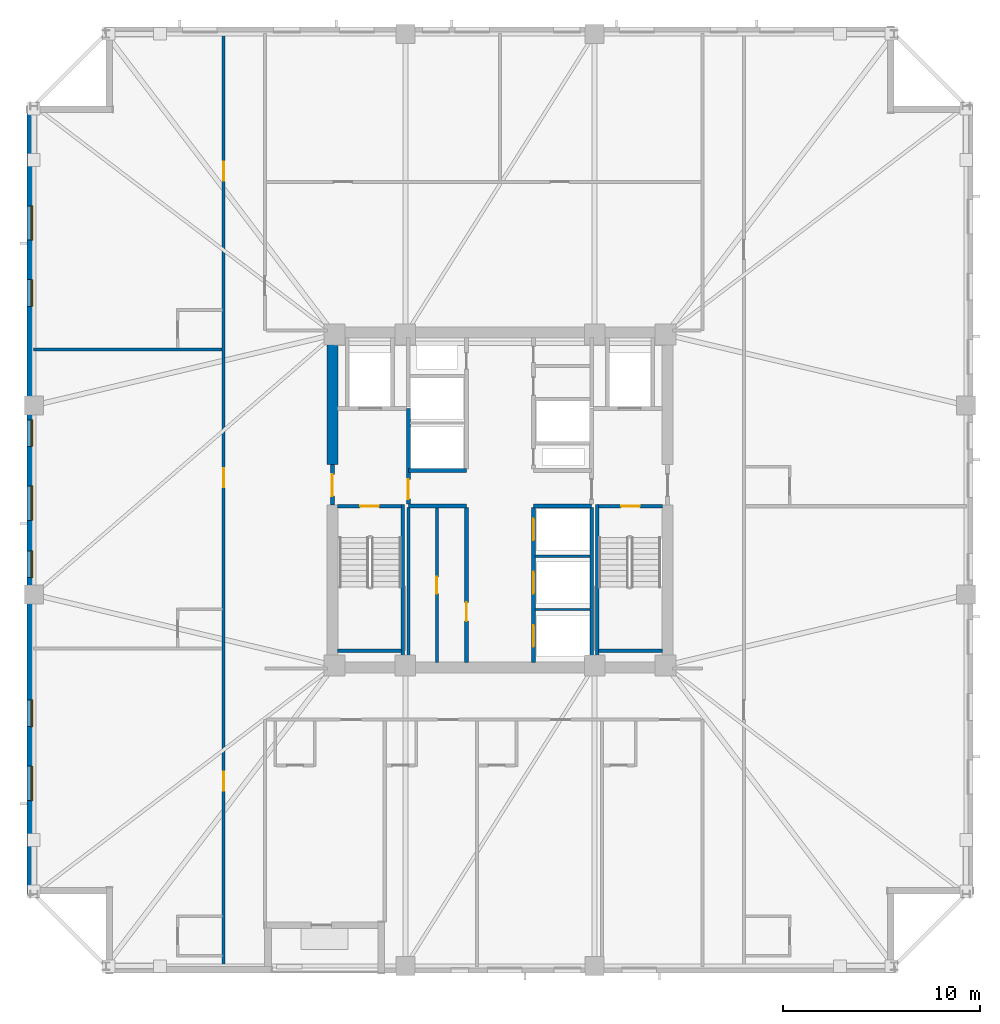
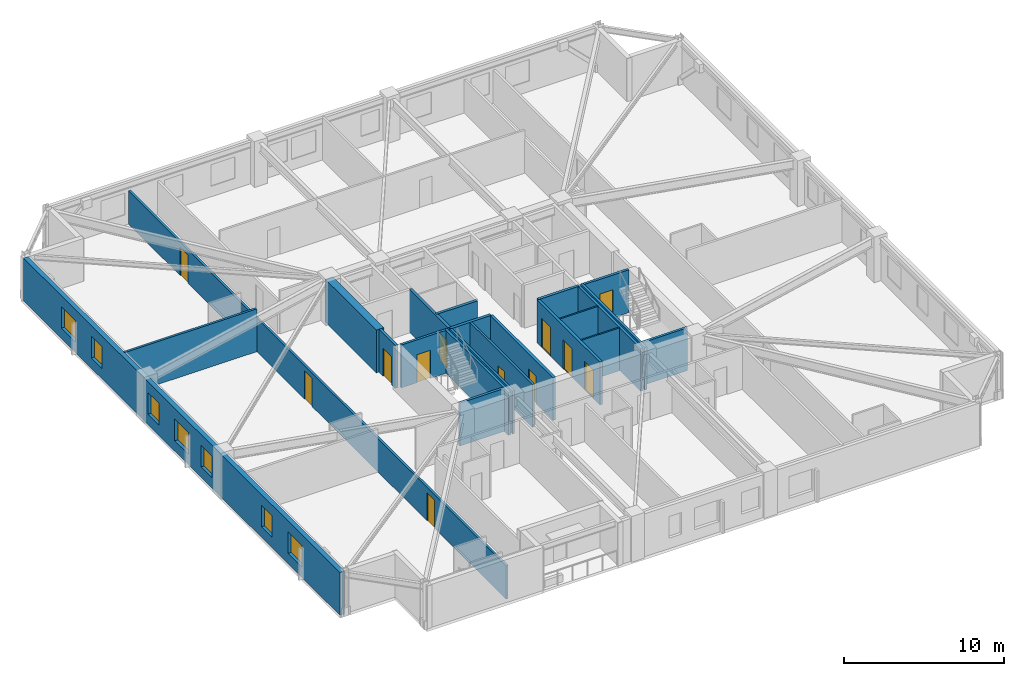
# One storey, part 3 of 10: 22 walls, 12 doors, 7 windows, 19 openings.
"""IFC4 building model written with IfcOpenShell, lengths in metres."""

from ifc_helpers import new_model, si_unit, direction, frame, frame_2d, origin, place, context, subcontext, project, spatial, rectangle, extrude, material, layer, layer_set, type_object, element, fill, save


model = new_model("IFC4")

# Units and contexts
model_context = context("Model", 3, precision=1e-05, world=origin(), true_north=direction((0.0, 1.0)))
body_context = subcontext(model_context, "Body", "Model", "MODEL_VIEW")
ifc_project = project(units=[si_unit("LENGTHUNIT", "METRE"), si_unit("AREAUNIT", "SQUARE_METRE"), si_unit("VOLUMEUNIT", "CUBIC_METRE"), si_unit("PLANEANGLEUNIT", "RADIAN"), si_unit("MASSUNIT", "GRAM", prefix="KILO")], contexts=[model_context])

# Site, building, storey
site_placement = place(None, origin())
site = spatial("IfcSite", under=ifc_project, at=site_placement, CompositionType="ELEMENT")
building_placement = place(site_placement, origin())
building = spatial("IfcBuilding", under=site, at=building_placement, Name="Cairnveth Concourse Tower", CompositionType="ELEMENT")
storey_placement = place(building_placement, frame((0.0, 0.0, 144.5)))
storey = spatial("IfcBuildingStorey", under=building, at=storey_placement, Name="L39", CompositionType="ELEMENT", Elevation=144.5)

# Wall
ifc_material_1 = material(Name="Gypsum Plasterboard Partition", Category="gypsum")
ifc_layer_1 = layer(ifc_material_1, 0.159912109375)
ifc_layer_set_1 = layer_set([ifc_layer_1], Name="Gypsum Plasterboard Partition")
wall_type_1 = type_object("IfcWallType", Name="ACOUSTIC PARTY WALL 180", PredefinedType="PARTITIONING", material=ifc_layer_set_1)
wall_1_placement = place(storey_placement, frame((47.35009765625, 30.760009765625, 0.0), z_axis=(0.0, 0.0, 1.0), x_axis=(0.0, 1.0, 0.0)))
element("IfcWall", 1, at=wall_1_placement, inside=storey, type_object=wall_type_1, Name="Interior Wall IW-L39-025", PredefinedType="PARTITIONING", context=body_context, shape_type="SweptSolid", body=[
    extrude(rectangle(XDim=7.85498046875, YDim=0.159912109375, at=frame_2d((3.927490234375, 0.0))), origin(), (0.0, 0.0, 1.0), 3.280029296875),
])

# Wall, opening, door
wall_2_placement = place(storey_placement, frame((48.800048828125, 30.760009765625, 0.0), z_axis=(0.0, 0.0, 1.0), x_axis=(0.0, 1.0, 0.0)))
wall_2 = element("IfcWall", 2, at=wall_2_placement, inside=storey, type_object=wall_type_1, Name="Interior Wall IW-L39-026", PredefinedType="PARTITIONING", context=body_context, shape_type="SweptSolid", body=[
    extrude(rectangle(XDim=7.85498046875, YDim=0.159912109375, at=frame_2d((3.927490234375, 0.0))), origin(), (0.0, 0.0, 1.0), 3.280029296875),
])
opening_1_placement = place(wall_2_placement, frame((3.489990234375, 0.0, 0.0)))
opening_1 = element("IfcOpeningElement", 3, at=opening_1_placement, cuts=wall_2, Name="Opening ID19", PredefinedType="OPENING", context=body_context, shape_type="SweptSolid", body=[
    extrude(rectangle(XDim=0.85009765625, YDim=2.1201171875, at=frame_2d((0.425048828125, 1.06005859375))), frame((0.0, 0.08984375, 0.0), z_axis=(0.0, -1.0, 0.0), x_axis=(1.0, 0.0, 0.0)), (0.0, 0.0, 1.0), 0.179931640625),
])
ifc_material_2 = material(Name="Steel Grade 350", Category="steel")
door_type_1 = type_object("IfcDoorType", Name="CORE SERVICE DOOR 850X2100", OperationType="NOTDEFINED", PredefinedType="DOOR", material=ifc_material_2)
door_1_placement = place(opening_1_placement, origin())
door_1 = element("IfcDoor", 4, at=door_1_placement, inside=storey, type_object=door_type_1, Name="Inner Store Door L39", OperationType="SINGLE_SWING_RIGHT", OverallHeight=2.1201171875, OverallWidth=0.85009765625, PredefinedType="DOOR", context=body_context, shape_type="SweptSolid", body=[
    extrude(rectangle(XDim=0.85009765625, YDim=2.1201171875, at=frame_2d((0.425048828125, 1.06005859375))), frame((0.0, 0.02490234375, 0.0), z_axis=(0.0, -1.0, 0.0), x_axis=(1.0, 0.0, 0.0)), (0.0, 0.0, 1.0), 0.050048828125),
])
fill(opening_1, door_1)

# Wall, openings, doors
wall_3_placement = place(storey_placement, frame((37.97509765625, 15.324951171875, 0.0), z_axis=(0.0, 0.0, 1.0), x_axis=(0.0, 1.0, 0.0)))
wall_3 = element("IfcWall", 5, at=wall_3_placement, inside=storey, type_object=wall_type_1, Name="Interior Wall IW-L39-037", PredefinedType="PARTITIONING", context=body_context, shape_type="SweptSolid", body=[
    extrude(rectangle(XDim=47.35009765625, YDim=0.159912109375, at=frame_2d((23.675048828125, 0.0))), origin(), (0.0, 0.0, 1.0), 2.554931640625),
])
opening_2_placement = place(wall_3_placement, frame((8.93359375, 0.0, 0.0)))
opening_2 = element("IfcOpeningElement", 6, at=opening_2_placement, cuts=wall_3, Name="Opening ID09", PredefinedType="OPENING", context=body_context, shape_type="SweptSolid", body=[
    extrude(rectangle(XDim=0.9599609375, YDim=2.14990234375, at=frame_2d((0.47998046875, 1.074951171875))), frame((0.0, 0.08984375, 0.0), z_axis=(0.0, -1.0, 0.0), x_axis=(1.0, 0.0, 0.0)), (0.0, 0.0, 1.0), 0.179931640625),
])
opening_3_placement = place(wall_3_placement, frame((24.31884765625, 0.0, 0.0)))
opening_3 = element("IfcOpeningElement", 7, at=opening_3_placement, cuts=wall_3, Name="Opening ID09", PredefinedType="OPENING", context=body_context, shape_type="SweptSolid", body=[
    extrude(rectangle(XDim=0.9599609375, YDim=2.14990234375, at=frame_2d((0.47998046875, 1.074951171875))), frame((0.0, 0.08984375, 0.0), z_axis=(0.0, -1.0, 0.0), x_axis=(1.0, 0.0, 0.0)), (0.0, 0.0, 1.0), 0.179931640625),
])
opening_4_placement = place(wall_3_placement, frame((39.88037109375, 0.0, 0.0)))
opening_4 = element("IfcOpeningElement", 8, at=opening_4_placement, cuts=wall_3, Name="Opening ID09", PredefinedType="OPENING", context=body_context, shape_type="SweptSolid", body=[
    extrude(rectangle(XDim=0.9599609375, YDim=2.14990234375, at=frame_2d((0.47998046875, 1.074951171875))), frame((0.0, 0.08984375, 0.0), z_axis=(0.0, -1.0, 0.0), x_axis=(1.0, 0.0, 0.0)), (0.0, 0.0, 1.0), 0.179931640625),
])
ifc_material_3 = material(Name="Solid Core Hardwood Timber Leaf", Category="wood")
door_type_2 = type_object("IfcDoorType", Name="HOTEL ENTRANCE DOOR 960X2150", OperationType="NOTDEFINED", PredefinedType="DOOR", material=ifc_material_3)
door_2_placement = place(opening_2_placement, origin())
door_2 = element("IfcDoor", 9, at=door_2_placement, inside=storey, type_object=door_type_2, Name="Hotel Room Door L39-W1", OperationType="SINGLE_SWING_RIGHT", OverallHeight=2.14990234375, OverallWidth=0.9599609375, PredefinedType="DOOR", context=body_context, shape_type="SweptSolid", body=[
    extrude(rectangle(XDim=0.9599609375, YDim=2.14990234375, at=frame_2d((0.47998046875, 1.074951171875))), frame((0.0, 0.02490234375, 0.0), z_axis=(0.0, -1.0, 0.0), x_axis=(1.0, 0.0, 0.0)), (0.0, 0.0, 1.0), 0.050048828125),
])
fill(opening_2, door_2)
door_3_placement = place(opening_3_placement, origin())
door_3 = element("IfcDoor", 10, at=door_3_placement, inside=storey, type_object=door_type_2, Name="Hotel Room Door L39-W2", OperationType="SINGLE_SWING_RIGHT", OverallHeight=2.14990234375, OverallWidth=0.9599609375, PredefinedType="DOOR", context=body_context, shape_type="SweptSolid", body=[
    extrude(rectangle(XDim=0.9599609375, YDim=2.14990234375, at=frame_2d((0.47998046875, 1.074951171875))), frame((0.0, 0.02490234375, 0.0), z_axis=(0.0, -1.0, 0.0), x_axis=(1.0, 0.0, 0.0)), (0.0, 0.0, 1.0), 0.050048828125),
])
fill(opening_3, door_3)
door_4_placement = place(opening_4_placement, origin())
door_4 = element("IfcDoor", 11, at=door_4_placement, inside=storey, type_object=door_type_2, Name="Hotel Room Door L39-W3", OperationType="SINGLE_SWING_RIGHT", OverallHeight=2.14990234375, OverallWidth=0.9599609375, PredefinedType="DOOR", context=body_context, shape_type="SweptSolid", body=[
    extrude(rectangle(XDim=0.9599609375, YDim=2.14990234375, at=frame_2d((0.47998046875, 1.074951171875))), frame((0.0, 0.02490234375, 0.0), z_axis=(0.0, -1.0, 0.0), x_axis=(1.0, 0.0, 0.0)), (0.0, 0.0, 1.0), 0.050048828125),
])
fill(opening_4, door_4)

# Walls
wall_4_placement = place(storey_placement, frame((28.324951171875, 46.640625, 0.0), z_axis=(0.0, 0.0, 1.0), x_axis=(1.0, 0.0, 0.0)))
element("IfcWall", 12, at=wall_4_placement, inside=storey, type_object=wall_type_1, Name="Interior Wall IW-L39-068", PredefinedType="PARTITIONING", context=body_context, shape_type="SweptSolid", body=[
    extrude(rectangle(XDim=9.570068359375, YDim=0.159912109375, at=frame_2d((4.78515625, 0.0))), origin(), (0.0, 0.0, 1.0), 3.280029296875),
])
ifc_material_4 = material(Name="Concrete N80 (80 MPa)", Category="concrete")
ifc_layer_2 = layer(ifc_material_4, 0.550048828125)
ifc_layer_set_2 = layer_set([ifc_layer_2], Name="Concrete N80 (80 MPa)")
wall_type_2 = type_object("IfcWallType", Name="CORE SHEAR WALL 550", PredefinedType="SHEAR", material=ifc_layer_set_2)
wall_5_placement = place(storey_placement, frame((43.5, 40.800048828125, 0.0), z_axis=(0.0, 0.0, 1.0), x_axis=(0.0, 1.0, 0.0)))
element("IfcWall", 13, at=wall_5_placement, inside=storey, type_object=wall_type_2, Name="Core West Shear Wall N L39", PredefinedType="SHEAR", context=body_context, shape_type="SweptSolid", body=[
    extrude(rectangle(XDim=6.43505859375, YDim=0.550048828125, at=frame_2d((3.217529296875, 0.0))), origin(), (0.0, 0.0, 1.0), 3.280029296875),
])
ifc_material_5 = material(Name="Concrete N50 (50 MPa)", Category="concrete")
ifc_layer_3 = layer(ifc_material_5, 0.179931640625)
ifc_layer_set_3 = layer_set([ifc_layer_3], Name="Concrete N50 (50 MPa)")
wall_type_3 = type_object("IfcWallType", Name="FIRE SHAFT WALL 180", PredefinedType="SOLIDWALL", material=ifc_layer_set_3)
wall_6_placement = place(storey_placement, frame((56.64990234375, 30.760009765625, 0.0), z_axis=(0.0, 0.0, 1.0), x_axis=(0.0, 1.0, 0.0)))
element("IfcWall", 14, at=wall_6_placement, inside=storey, type_object=wall_type_3, Name="Interior Wall IW-L39-027", PredefinedType="SOLIDWALL", context=body_context, shape_type="SweptSolid", body=[
    extrude(rectangle(XDim=7.85498046875, YDim=0.179931640625, at=frame_2d((3.927490234375, 0.0))), origin(), (0.0, 0.0, 1.0), 3.280029296875),
])

# Wall, opening, door
wall_7_placement = place(storey_placement, frame((43.764892578125, 38.68994140625, 0.0), z_axis=(0.0, 0.0, 1.0), x_axis=(1.0, 0.0, 0.0)))
wall_7 = element("IfcWall", 15, at=wall_7_placement, inside=storey, type_object=wall_type_3, Name="Stair ST-1 Shaft Wall NEAR L39", PredefinedType="SOLIDWALL", context=body_context, shape_type="SweptSolid", body=[
    extrude(rectangle(XDim=3.230224609375, YDim=0.179931640625, at=frame_2d((1.615234375, 0.0))), origin(), (0.0, 0.0, 1.0), 3.280029296875),
])
opening_5_placement = place(wall_7_placement, frame((1.139892578125, 0.0, 0.0)))
opening_5 = element("IfcOpeningElement", 16, at=opening_5_placement, cuts=wall_7, Name="Opening ID12", PredefinedType="OPENING", context=body_context, shape_type="SweptSolid", body=[
    extrude(rectangle(XDim=0.949951171875, YDim=2.14990234375, at=frame_2d((0.47509765625, 1.074951171875))), frame((0.0, 0.099853515625, 0.0), z_axis=(0.0, -1.0, 0.0), x_axis=(1.0, 0.0, 0.0)), (0.0, 0.0, 1.0), 0.199951171875),
])
door_type_3 = type_object("IfcDoorType", Name="FIRE STAIR DOOR 950X2150", OperationType="NOTDEFINED", PredefinedType="DOOR", material=ifc_material_2)
door_5_placement = place(opening_5_placement, origin())
door_5 = element("IfcDoor", 17, at=door_5_placement, inside=storey, type_object=door_type_3, Name="Stair ST-1 Fire Door L39", OperationType="SINGLE_SWING_LEFT", OverallHeight=2.14990234375, OverallWidth=0.949951171875, PredefinedType="DOOR", context=body_context, shape_type="SweptSolid", body=[
    extrude(rectangle(XDim=0.949951171875, YDim=2.14990234375, at=frame_2d((0.47509765625, 1.074951171875))), frame((0.0, 0.02490234375, 0.0), z_axis=(0.0, -1.0, 0.0), x_axis=(1.0, 0.0, 0.0)), (0.0, 0.0, 1.0), 0.050048828125),
])
fill(opening_5, door_5)

# Walls
wall_8_placement = place(storey_placement, frame((43.764892578125, 31.360107421875, 0.0), z_axis=(0.0, 0.0, 1.0), x_axis=(1.0, 0.0, 0.0)))
element("IfcWall", 18, at=wall_8_placement, inside=storey, type_object=wall_type_3, Name="Stair ST-1 Shaft Wall FAR L39", PredefinedType="SOLIDWALL", context=body_context, shape_type="SweptSolid", body=[
    extrude(rectangle(XDim=3.230224609375, YDim=0.179931640625, at=frame_2d((1.615234375, 0.0))), origin(), (0.0, 0.0, 1.0), 3.280029296875),
])
wall_9_placement = place(storey_placement, frame((47.070068359375, 38.780029296875, 0.0), z_axis=(0.0, 0.0, 1.0), x_axis=(0.0, -1.0, 0.0)))
element("IfcWall", 19, at=wall_9_placement, inside=storey, type_object=wall_type_3, Name="Stair ST-1 Shaft Wall RGHT L39", PredefinedType="SOLIDWALL", context=body_context, shape_type="SweptSolid", body=[
    extrude(rectangle(XDim=8.01708984375, YDim=0.179931640625, at=frame_2d((4.008544921875, 0.0))), origin(), (0.0, 0.0, 1.0), 3.280029296875),
])

# Wall, opening, door
wall_10_placement = place(storey_placement, frame((57.0048828125, 38.68994140625, 0.0), z_axis=(0.0, 0.0, 1.0), x_axis=(1.0, 0.0, 0.0)))
wall_10 = element("IfcWall", 20, at=wall_10_placement, inside=storey, type_object=wall_type_3, Name="Stair ST-2 Shaft Wall NEAR L39", PredefinedType="SOLIDWALL", context=body_context, shape_type="SweptSolid", body=[
    extrude(rectangle(XDim=3.230224609375, YDim=0.179931640625, at=frame_2d((1.615234375, 0.0))), origin(), (0.0, 0.0, 1.0), 3.280029296875),
])
opening_6_placement = place(wall_10_placement, frame((1.139892578125, 0.0, 0.0)))
opening_6 = element("IfcOpeningElement", 21, at=opening_6_placement, cuts=wall_10, Name="Opening ID12", PredefinedType="OPENING", context=body_context, shape_type="SweptSolid", body=[
    extrude(rectangle(XDim=0.949951171875, YDim=2.14990234375, at=frame_2d((0.47509765625, 1.074951171875))), frame((0.0, 0.099853515625, 0.0), z_axis=(0.0, -1.0, 0.0), x_axis=(1.0, 0.0, 0.0)), (0.0, 0.0, 1.0), 0.199951171875),
])
door_6_placement = place(opening_6_placement, origin())
door_6 = element("IfcDoor", 22, at=door_6_placement, inside=storey, type_object=door_type_3, Name="Stair ST-2 Fire Door L39", OperationType="SINGLE_SWING_RIGHT", OverallHeight=2.14990234375, OverallWidth=0.949951171875, PredefinedType="DOOR", context=body_context, shape_type="SweptSolid", body=[
    extrude(rectangle(XDim=0.949951171875, YDim=2.14990234375, at=frame_2d((0.47509765625, 1.074951171875))), frame((0.0, 0.02490234375, 0.0), z_axis=(0.0, -1.0, 0.0), x_axis=(1.0, 0.0, 0.0)), (0.0, 0.0, 1.0), 0.050048828125),
])
fill(opening_6, door_6)

# Walls
wall_11_placement = place(storey_placement, frame((57.0048828125, 31.360107421875, 0.0), z_axis=(0.0, 0.0, 1.0), x_axis=(1.0, 0.0, 0.0)))
element("IfcWall", 23, at=wall_11_placement, inside=storey, type_object=wall_type_3, Name="Stair ST-2 Shaft Wall FAR L39", PredefinedType="SOLIDWALL", context=body_context, shape_type="SweptSolid", body=[
    extrude(rectangle(XDim=3.230224609375, YDim=0.179931640625, at=frame_2d((1.615234375, 0.0))), origin(), (0.0, 0.0, 1.0), 3.280029296875),
])
wall_12_placement = place(storey_placement, frame((56.929931640625, 38.780029296875, 0.0), z_axis=(0.0, 0.0, 1.0), x_axis=(0.0, -1.0, 0.0)))
element("IfcWall", 24, at=wall_12_placement, inside=storey, type_object=wall_type_3, Name="Stair ST-2 Shaft Wall LEFT L39", PredefinedType="SOLIDWALL", context=body_context, shape_type="SweptSolid", body=[
    extrude(rectangle(XDim=8.01708984375, YDim=0.179931640625, at=frame_2d((4.008544921875, 0.0))), origin(), (0.0, 0.0, 1.0), 3.280029296875),
])
ifc_layer_4 = layer(ifc_material_5, 0.199951171875)
ifc_layer_set_4 = layer_set([ifc_layer_4], Name="Concrete N50 (50 MPa)")
wall_type_4 = type_object("IfcWallType", Name="FIRE SHAFT WALL 200", PredefinedType="SOLIDWALL", material=ifc_layer_set_4)
for number, where, z_axis, x_axis, name in (
    (25, (47.35009765625, 38.699951171875, 0.0), (0.0, 0.0, 1.0), (1.0, 0.0, 0.0), "Interior Wall IW-L39-007"),
    (26, (47.35009765625, 40.5, 0.0), (0.0, 0.0, 1.0), (1.0, 0.0, 0.0), "Interior Wall IW-L39-008"),
    (27, (53.699951171875, 38.699951171875, 0.0), (0.0, 0.0, 1.0), (1.0, 0.0, 0.0), "Interior Wall IW-L39-009"),
):
    element("IfcWall", number, at=place(storey_placement, frame(where, z_axis=z_axis, x_axis=x_axis)), inside=storey, type_object=wall_type_4, Name=name, PredefinedType="SOLIDWALL", context=body_context, shape_type="SweptSolid", body=[
        extrude(rectangle(XDim=2.949951171875, YDim=0.199951171875, at=frame_2d((1.47509765625, 0.0))), origin(), (0.0, 0.0, 1.0), 3.280029296875),
    ])

# Wall, opening, door
wall_13_placement = place(storey_placement, frame((50.300048828125, 30.760009765625, 0.0), z_axis=(0.0, 0.0, 1.0), x_axis=(0.0, 1.0, 0.0)))
wall_13 = element("IfcWall", 28, at=wall_13_placement, inside=storey, type_object=wall_type_4, Name="Interior Wall IW-L39-011", PredefinedType="SOLIDWALL", context=body_context, shape_type="SweptSolid", body=[
    extrude(rectangle(XDim=7.85498046875, YDim=0.199951171875, at=frame_2d((3.927490234375, 0.0))), origin(), (0.0, 0.0, 1.0), 3.280029296875),
])
opening_7_placement = place(wall_13_placement, frame((2.090087890625, 0.0, 0.0)))
opening_7 = element("IfcOpeningElement", 29, at=opening_7_placement, cuts=wall_13, Name="Opening ID25", PredefinedType="OPENING", context=body_context, shape_type="SweptSolid", body=[
    extrude(rectangle(XDim=0.949951171875, YDim=2.1201171875, at=frame_2d((0.47509765625, 1.06005859375))), frame((0.0, 0.10986328125, 0.0), z_axis=(0.0, -1.0, 0.0), x_axis=(1.0, 0.0, 0.0)), (0.0, 0.0, 1.0), 0.219970703125),
])
door_type_4 = type_object("IfcDoorType", Name="CORE ACCESSIBLE FIRE DOOR 950X2120", OperationType="NOTDEFINED", PredefinedType="DOOR", material=ifc_material_2)
door_7_placement = place(opening_7_placement, origin())
door_7 = element("IfcDoor", 30, at=door_7_placement, inside=storey, type_object=door_type_4, Name="Accessible WC Suite Door L39", OperationType="SINGLE_SWING_LEFT", OverallHeight=2.1201171875, OverallWidth=0.949951171875, PredefinedType="DOOR", context=body_context, shape_type="SweptSolid", body=[
    extrude(rectangle(XDim=0.949951171875, YDim=2.1201171875, at=frame_2d((0.47509765625, 1.06005859375))), frame((0.0, 0.02490234375, 0.0), z_axis=(0.0, -1.0, 0.0), x_axis=(1.0, 0.0, 0.0)), (0.0, 0.0, 1.0), 0.050048828125),
])
fill(opening_7, door_7)

# Wall, openings, doors
wall_14_placement = place(storey_placement, frame((53.699951171875, 30.760009765625, 0.0), z_axis=(0.0, 0.0, 1.0), x_axis=(0.0, 1.0, 0.0)))
wall_14 = element("IfcWall", 31, at=wall_14_placement, inside=storey, type_object=wall_type_4, Name="Interior Wall IW-L39-012", PredefinedType="SOLIDWALL", context=body_context, shape_type="SweptSolid", body=[
    extrude(rectangle(XDim=7.85498046875, YDim=0.199951171875, at=frame_2d((3.927490234375, 0.0))), origin(), (0.0, 0.0, 1.0), 3.280029296875),
])
opening_8_placement = place(wall_14_placement, frame((0.7900390625, 0.0, 0.0)))
opening_8 = element("IfcOpeningElement", 32, at=opening_8_placement, cuts=wall_14, Name="Opening LD-1", PredefinedType="OPENING", context=body_context, shape_type="SweptSolid", body=[
    extrude(rectangle(XDim=1.10009765625, YDim=2.199951171875, at=frame_2d((0.550048828125, 1.10009765625))), frame((0.0, 0.10986328125, 0.0), z_axis=(0.0, -1.0, 0.0), x_axis=(1.0, 0.0, 0.0)), (0.0, 0.0, 1.0), 0.219970703125),
])
opening_9_placement = place(wall_14_placement, frame((3.489990234375, 0.0, 0.0)))
opening_9 = element("IfcOpeningElement", 33, at=opening_9_placement, cuts=wall_14, Name="Opening LD-1", PredefinedType="OPENING", context=body_context, shape_type="SweptSolid", body=[
    extrude(rectangle(XDim=1.10009765625, YDim=2.199951171875, at=frame_2d((0.550048828125, 1.10009765625))), frame((0.0, 0.10986328125, 0.0), z_axis=(0.0, -1.0, 0.0), x_axis=(1.0, 0.0, 0.0)), (0.0, 0.0, 1.0), 0.219970703125),
])
opening_10_placement = place(wall_14_placement, frame((6.18994140625, 0.0, 0.0)))
opening_10 = element("IfcOpeningElement", 34, at=opening_10_placement, cuts=wall_14, Name="Opening LD-1", PredefinedType="OPENING", context=body_context, shape_type="SweptSolid", body=[
    extrude(rectangle(XDim=1.10009765625, YDim=2.199951171875, at=frame_2d((0.550048828125, 1.10009765625))), frame((0.0, 0.10986328125, 0.0), z_axis=(0.0, -1.0, 0.0), x_axis=(1.0, 0.0, 0.0)), (0.0, 0.0, 1.0), 0.219970703125),
])
ifc_material_6 = material(Name="Architectural Bronze Anodised Aluminium 6063-T6", Category="aluminium")
door_type_5 = type_object("IfcDoorType", Name="LIFT LANDING DOOR 1100X2200", OperationType="SLIDING_TO_LEFT", PredefinedType="DOOR", material=ifc_material_6)
door_8_placement = place(opening_8_placement, origin())
door_8 = element("IfcDoor", 35, at=door_8_placement, inside=storey, type_object=door_type_5, Name="Lift PL4 Landing Door L39", OperationType="SLIDING_TO_LEFT", OverallHeight=2.199951171875, OverallWidth=1.10009765625, PredefinedType="DOOR", context=body_context, shape_type="SweptSolid", body=[
    extrude(rectangle(XDim=1.10009765625, YDim=2.199951171875, at=frame_2d((0.550048828125, 1.10009765625))), frame((0.0, 0.02490234375, 0.0), z_axis=(0.0, -1.0, 0.0), x_axis=(1.0, 0.0, 0.0)), (0.0, 0.0, 1.0), 0.050048828125),
])
fill(opening_8, door_8)
door_9_placement = place(opening_9_placement, origin())
door_9 = element("IfcDoor", 36, at=door_9_placement, inside=storey, type_object=door_type_5, Name="Lift PL5 Landing Door L39", OperationType="SLIDING_TO_LEFT", OverallHeight=2.199951171875, OverallWidth=1.10009765625, PredefinedType="DOOR", context=body_context, shape_type="SweptSolid", body=[
    extrude(rectangle(XDim=1.10009765625, YDim=2.199951171875, at=frame_2d((0.550048828125, 1.10009765625))), frame((0.0, 0.02490234375, 0.0), z_axis=(0.0, -1.0, 0.0), x_axis=(1.0, 0.0, 0.0)), (0.0, 0.0, 1.0), 0.050048828125),
])
fill(opening_9, door_9)
door_10_placement = place(opening_10_placement, origin())
door_10 = element("IfcDoor", 37, at=door_10_placement, inside=storey, type_object=door_type_5, Name="Lift PL6 Landing Door L39", OperationType="SLIDING_TO_LEFT", OverallHeight=2.199951171875, OverallWidth=1.10009765625, PredefinedType="DOOR", context=body_context, shape_type="SweptSolid", body=[
    extrude(rectangle(XDim=1.10009765625, YDim=2.199951171875, at=frame_2d((0.550048828125, 1.10009765625))), frame((0.0, 0.02490234375, 0.0), z_axis=(0.0, -1.0, 0.0), x_axis=(1.0, 0.0, 0.0)), (0.0, 0.0, 1.0), 0.050048828125),
])
fill(opening_10, door_10)

# Wall, opening, door
wall_15_placement = place(storey_placement, frame((43.5, 38.75, 0.0), z_axis=(0.0, 0.0, 1.0), x_axis=(0.0, 1.0, 0.0)))
wall_15 = element("IfcWall", 38, at=wall_15_placement, inside=storey, type_object=wall_type_4, Name="Interior Wall IW-L39-015", PredefinedType="SOLIDWALL", context=body_context, shape_type="SweptSolid", body=[
    extrude(rectangle(XDim=2.050048828125, YDim=0.199951171875, at=frame_2d((1.02490234375, 0.0))), origin(), (0.0, 0.0, 1.0), 3.280029296875),
])
opening_11_placement = place(wall_15_placement, frame((0.449951171875, 0.0, 0.0)))
opening_11 = element("IfcOpeningElement", 39, at=opening_11_placement, cuts=wall_15, Name="Opening ID06", PredefinedType="OPENING", context=body_context, shape_type="SweptSolid", body=[
    extrude(rectangle(XDim=1.10009765625, YDim=2.14990234375, at=frame_2d((0.550048828125, 1.074951171875))), frame((0.0, 0.10986328125, 0.0), z_axis=(0.0, -1.0, 0.0), x_axis=(1.0, 0.0, 0.0)), (0.0, 0.0, 1.0), 0.219970703125),
])
door_type_6 = type_object("IfcDoorType", Name="FIRE CORRIDOR DOOR 1100X2150", OperationType="NOTDEFINED", PredefinedType="DOOR", material=ifc_material_2)
door_11_placement = place(opening_11_placement, origin())
door_11 = element("IfcDoor", 40, at=door_11_placement, inside=storey, type_object=door_type_6, Name="West Wing to FF Lobby Door L39", OperationType="SINGLE_SWING_LEFT", OverallHeight=2.14990234375, OverallWidth=1.10009765625, PredefinedType="DOOR", context=body_context, shape_type="SweptSolid", body=[
    extrude(rectangle(XDim=1.10009765625, YDim=2.14990234375, at=frame_2d((0.550048828125, 1.074951171875))), frame((0.0, 0.02490234375, 0.0), z_axis=(0.0, -1.0, 0.0), x_axis=(1.0, 0.0, 0.0)), (0.0, 0.0, 1.0), 0.050048828125),
])
fill(opening_11, door_11)

wall_16_placement = place(storey_placement, frame((47.35009765625, 38.784912109375, 0.0), z_axis=(0.0, 0.0, 1.0), x_axis=(0.0, 1.0, 0.0)))
wall_16 = element("IfcWall", 41, at=wall_16_placement, inside=storey, type_object=wall_type_4, Name="Interior Wall IW-L39-016", PredefinedType="SOLIDWALL", context=body_context, shape_type="SweptSolid", body=[
    extrude(rectangle(XDim=4.864990234375, YDim=0.199951171875, at=frame_2d((2.4326171875, 0.0))), origin(), (0.0, 0.0, 1.0), 3.280029296875),
])
opening_12_placement = place(wall_16_placement, frame((0.264892578125, 0.0, 0.0)))
opening_12 = element("IfcOpeningElement", 42, at=opening_12_placement, cuts=wall_16, Name="Opening ID07", PredefinedType="OPENING", context=body_context, shape_type="SweptSolid", body=[
    extrude(rectangle(XDim=1.0, YDim=2.14990234375, at=frame_2d((0.5, 1.074951171875))), frame((0.0, 0.10986328125, 0.0), z_axis=(0.0, -1.0, 0.0), x_axis=(1.0, 0.0, 0.0)), (0.0, 0.0, 1.0), 0.219970703125),
])
door_type_7 = type_object("IfcDoorType", Name="FIRE CORRIDOR DOOR 1000X2150", OperationType="NOTDEFINED", PredefinedType="DOOR", material=ifc_material_2)
door_12_placement = place(opening_12_placement, origin())
door_12 = element("IfcDoor", 43, at=door_12_placement, inside=storey, type_object=door_type_7, Name="FF Lobby West to Lift Lobby Door L39", OperationType="SINGLE_SWING_RIGHT", OverallHeight=2.14990234375, OverallWidth=1.0, PredefinedType="DOOR", context=body_context, shape_type="SweptSolid", body=[
    extrude(rectangle(XDim=1.0, YDim=2.14990234375, at=frame_2d((0.5, 1.074951171875))), frame((0.0, 0.02490234375, 0.0), z_axis=(0.0, -1.0, 0.0), x_axis=(1.0, 0.0, 0.0)), (0.0, 0.0, 1.0), 0.050048828125),
])
fill(opening_12, door_12)

# Walls
ifc_layer_5 = layer(ifc_material_1, 0.110107421875)
ifc_layer_set_5 = layer_set([ifc_layer_5], Name="Gypsum Plasterboard Partition")
wall_type_5 = type_object("IfcWallType", Name="SHAFT DIVIDER WALL 140", PredefinedType="PARTITIONING", material=ifc_layer_set_5)
for number, where, z_axis, x_axis, name in (
    (44, (53.784912109375, 33.449951171875, 0.0), (0.0, 0.0, 1.0), (1.0, 0.0, 0.0), "Interior Wall IW-L39-028"),
    (45, (53.784912109375, 36.14990234375, 0.0), (0.0, 0.0, 1.0), (1.0, 0.0, 0.0), "Interior Wall IW-L39-029"),
):
    element("IfcWall", number, at=place(storey_placement, frame(where, z_axis=z_axis, x_axis=x_axis)), inside=storey, type_object=wall_type_5, Name=name, PredefinedType="PARTITIONING", context=body_context, shape_type="SweptSolid", body=[
        extrude(rectangle(XDim=2.7900390625, YDim=0.110107421875, at=frame_2d((1.39501953125, 0.0))), origin(), (0.0, 0.0, 1.0), 3.280029296875),
    ])

# Wall, openings, windows
ifc_material_7 = material(Name="Hawthorn Red-Ochre Fired Clay Brick Masonry", Category="masonry")
ifc_layer_6 = layer(ifc_material_7, 0.340087890625)
ifc_layer_set_6 = layer_set([ifc_layer_6], Name="Hawthorn Red-Ochre Fired Clay Brick Masonry")
wall_type_6 = type_object("IfcWallType", Name="ZONE 2 BRICK PIER SPANDREL WALL 340", PredefinedType="SOLIDWALL", material=ifc_layer_set_6)
wall_17_placement = place(storey_placement, frame((28.169921875, 19.0, 0.0), z_axis=(0.0, 0.0, 1.0), x_axis=(0.0, 1.0, 0.0)))
wall_17 = element("IfcWall", 46, at=wall_17_placement, inside=storey, type_object=wall_type_6, Name="Exterior Wall EW-L39-S03", PredefinedType="SOLIDWALL", context=body_context, shape_type="SweptSolid", body=[
    extrude(rectangle(XDim=39.681884765625, YDim=0.340087890625, at=frame_2d((19.8408203125, 0.0))), origin(), (0.0, 0.0, 1.0), 3.280029296875),
])
opening_13_placement = place(wall_17_placement, frame((4.751708984375, 0.0, 0.800048828125)))
opening_13 = element("IfcOpeningElement", 47, at=opening_13_placement, cuts=wall_17, Name="Opening W06", PredefinedType="OPENING", context=body_context, shape_type="SweptSolid", body=[
    extrude(rectangle(XDim=1.75, YDim=1.659912109375, at=frame_2d((0.875, 0.830078125))), frame((0.0, 0.179931640625, 0.0), z_axis=(0.0, -1.0, 0.0), x_axis=(1.0, 0.0, 0.0)), (0.0, 0.0, 1.0), 0.360107421875),
])
opening_14_placement = place(wall_17_placement, frame((8.50537109375, 0.0, 0.800048828125)))
opening_14 = element("IfcOpeningElement", 48, at=opening_14_placement, cuts=wall_17, Name="Opening W02", PredefinedType="OPENING", context=body_context, shape_type="SweptSolid", body=[
    extrude(rectangle(XDim=1.35009765625, YDim=1.659912109375, at=frame_2d((0.675048828125, 0.830078125))), frame((0.0, 0.179931640625, 0.0), z_axis=(0.0, -1.0, 0.0), x_axis=(1.0, 0.0, 0.0)), (0.0, 0.0, 1.0), 0.360107421875),
])
opening_15_placement = place(wall_17_placement, frame((16.0625, 0.0, 0.800048828125)))
opening_15 = element("IfcOpeningElement", 49, at=opening_15_placement, cuts=wall_17, Name="Opening W02", PredefinedType="OPENING", context=body_context, shape_type="SweptSolid", body=[
    extrude(rectangle(XDim=1.35009765625, YDim=1.659912109375, at=frame_2d((0.675048828125, 0.830078125))), frame((0.0, 0.179931640625, 0.0), z_axis=(0.0, -1.0, 0.0), x_axis=(1.0, 0.0, 0.0)), (0.0, 0.0, 1.0), 0.360107421875),
])
opening_16_placement = place(wall_17_placement, frame((18.966064453125, 0.0, 0.800048828125)))
opening_16 = element("IfcOpeningElement", 50, at=opening_16_placement, cuts=wall_17, Name="Opening W06", PredefinedType="OPENING", context=body_context, shape_type="SweptSolid", body=[
    extrude(rectangle(XDim=1.75, YDim=1.659912109375, at=frame_2d((0.875, 0.830078125))), frame((0.0, 0.179931640625, 0.0), z_axis=(0.0, -1.0, 0.0), x_axis=(1.0, 0.0, 0.0)), (0.0, 0.0, 1.0), 0.360107421875),
])
opening_17_placement = place(wall_17_placement, frame((22.719482421875, 0.0, 0.800048828125)))
opening_17 = element("IfcOpeningElement", 51, at=opening_17_placement, cuts=wall_17, Name="Opening W02", PredefinedType="OPENING", context=body_context, shape_type="SweptSolid", body=[
    extrude(rectangle(XDim=1.35009765625, YDim=1.659912109375, at=frame_2d((0.675048828125, 0.830078125))), frame((0.0, 0.179931640625, 0.0), z_axis=(0.0, -1.0, 0.0), x_axis=(1.0, 0.0, 0.0)), (0.0, 0.0, 1.0), 0.360107421875),
])
opening_18_placement = place(wall_17_placement, frame((29.82666015625, 0.0, 0.800048828125)))
opening_18 = element("IfcOpeningElement", 52, at=opening_18_placement, cuts=wall_17, Name="Opening W02", PredefinedType="OPENING", context=body_context, shape_type="SweptSolid", body=[
    extrude(rectangle(XDim=1.35009765625, YDim=1.659912109375, at=frame_2d((0.675048828125, 0.830078125))), frame((0.0, 0.179931640625, 0.0), z_axis=(0.0, -1.0, 0.0), x_axis=(1.0, 0.0, 0.0)), (0.0, 0.0, 1.0), 0.360107421875),
])
opening_19_placement = place(wall_17_placement, frame((33.18017578125, 0.0, 0.800048828125)))
opening_19 = element("IfcOpeningElement", 53, at=opening_19_placement, cuts=wall_17, Name="Opening W06", PredefinedType="OPENING", context=body_context, shape_type="SweptSolid", body=[
    extrude(rectangle(XDim=1.75, YDim=1.659912109375, at=frame_2d((0.875, 0.830078125))), frame((0.0, 0.179931640625, 0.0), z_axis=(0.0, -1.0, 0.0), x_axis=(1.0, 0.0, 0.0)), (0.0, 0.0, 1.0), 0.360107421875),
])
ifc_material_8 = material(Name="Double Glazed Low-E Clear Glass", Category="glass")
window_type_1 = type_object("IfcWindowType", Name="DEEP-SET GOTHIC LANCET WINDOW 1350X1800", PartitioningType="DOUBLE_PANEL_VERTICAL", PredefinedType="WINDOW", material=ifc_material_8)
window_1_placement = place(opening_14_placement, origin())
window_1 = element("IfcWindow", 54, at=window_1_placement, inside=storey, type_object=window_type_1, Name="Gothic Lancet Window L39-3-2", OverallHeight=1.659912109375, OverallWidth=1.35009765625, PartitioningType="SINGLE_PANEL", PredefinedType="WINDOW", context=body_context, shape_type="SweptSolid", body=[
    extrude(rectangle(XDim=1.35009765625, YDim=1.659912109375, at=frame_2d((0.675048828125, 0.830078125))), frame((0.0, -0.050048828125, 0.0), z_axis=(0.0, -1.0, 0.0), x_axis=(1.0, 0.0, 0.0)), (0.0, 0.0, 1.0), 0.06005859375),
])
fill(opening_14, window_1)
window_2_placement = place(opening_15_placement, origin())
window_2 = element("IfcWindow", 55, at=window_2_placement, inside=storey, type_object=window_type_1, Name="Gothic Lancet Window L39-3-4", OverallHeight=1.659912109375, OverallWidth=1.35009765625, PartitioningType="SINGLE_PANEL", PredefinedType="WINDOW", context=body_context, shape_type="SweptSolid", body=[
    extrude(rectangle(XDim=1.35009765625, YDim=1.659912109375, at=frame_2d((0.675048828125, 0.830078125))), frame((0.0, -0.050048828125, 0.0), z_axis=(0.0, -1.0, 0.0), x_axis=(1.0, 0.0, 0.0)), (0.0, 0.0, 1.0), 0.06005859375),
])
fill(opening_15, window_2)
window_3_placement = place(opening_17_placement, origin())
window_3 = element("IfcWindow", 56, at=window_3_placement, inside=storey, type_object=window_type_1, Name="Gothic Lancet Window L39-3-6", OverallHeight=1.659912109375, OverallWidth=1.35009765625, PartitioningType="SINGLE_PANEL", PredefinedType="WINDOW", context=body_context, shape_type="SweptSolid", body=[
    extrude(rectangle(XDim=1.35009765625, YDim=1.659912109375, at=frame_2d((0.675048828125, 0.830078125))), frame((0.0, -0.050048828125, 0.0), z_axis=(0.0, -1.0, 0.0), x_axis=(1.0, 0.0, 0.0)), (0.0, 0.0, 1.0), 0.06005859375),
])
fill(opening_17, window_3)
window_4_placement = place(opening_18_placement, origin())
window_4 = element("IfcWindow", 57, at=window_4_placement, inside=storey, type_object=window_type_1, Name="Gothic Lancet Window L39-3-8", OverallHeight=1.659912109375, OverallWidth=1.35009765625, PartitioningType="SINGLE_PANEL", PredefinedType="WINDOW", context=body_context, shape_type="SweptSolid", body=[
    extrude(rectangle(XDim=1.35009765625, YDim=1.659912109375, at=frame_2d((0.675048828125, 0.830078125))), frame((0.0, -0.050048828125, 0.0), z_axis=(0.0, -1.0, 0.0), x_axis=(1.0, 0.0, 0.0)), (0.0, 0.0, 1.0), 0.06005859375),
])
fill(opening_18, window_4)
window_type_2 = type_object("IfcWindowType", Name="DEEP-SET HOTEL SUITE WINDOW 1750X1800", PartitioningType="DOUBLE_PANEL_VERTICAL", PredefinedType="WINDOW", material=ifc_material_8)
window_5_placement = place(opening_13_placement, origin())
window_5 = element("IfcWindow", 58, at=window_5_placement, inside=storey, type_object=window_type_2, Name="Gothic Lancet Window L39-3-1", OverallHeight=1.659912109375, OverallWidth=1.75, PartitioningType="SINGLE_PANEL", PredefinedType="WINDOW", context=body_context, shape_type="SweptSolid", body=[
    extrude(rectangle(XDim=1.75, YDim=1.659912109375, at=frame_2d((0.875, 0.830078125))), frame((0.0, -0.050048828125, 0.0), z_axis=(0.0, -1.0, 0.0), x_axis=(1.0, 0.0, 0.0)), (0.0, 0.0, 1.0), 0.06005859375),
])
fill(opening_13, window_5)
window_6_placement = place(opening_16_placement, origin())
window_6 = element("IfcWindow", 59, at=window_6_placement, inside=storey, type_object=window_type_2, Name="Gothic Lancet Window L39-3-5", OverallHeight=1.659912109375, OverallWidth=1.75, PartitioningType="SINGLE_PANEL", PredefinedType="WINDOW", context=body_context, shape_type="SweptSolid", body=[
    extrude(rectangle(XDim=1.75, YDim=1.659912109375, at=frame_2d((0.875, 0.830078125))), frame((0.0, -0.050048828125, 0.0), z_axis=(0.0, -1.0, 0.0), x_axis=(1.0, 0.0, 0.0)), (0.0, 0.0, 1.0), 0.06005859375),
])
fill(opening_16, window_6)
window_7_placement = place(opening_19_placement, origin())
window_7 = element("IfcWindow", 60, at=window_7_placement, inside=storey, type_object=window_type_2, Name="Gothic Lancet Window L39-3-9", OverallHeight=1.659912109375, OverallWidth=1.75, PartitioningType="SINGLE_PANEL", PredefinedType="WINDOW", context=body_context, shape_type="SweptSolid", body=[
    extrude(rectangle(XDim=1.75, YDim=1.659912109375, at=frame_2d((0.875, 0.830078125))), frame((0.0, -0.050048828125, 0.0), z_axis=(0.0, -1.0, 0.0), x_axis=(1.0, 0.0, 0.0)), (0.0, 0.0, 1.0), 0.06005859375),
])
fill(opening_19, window_7)

save(model, "model.ifc")
